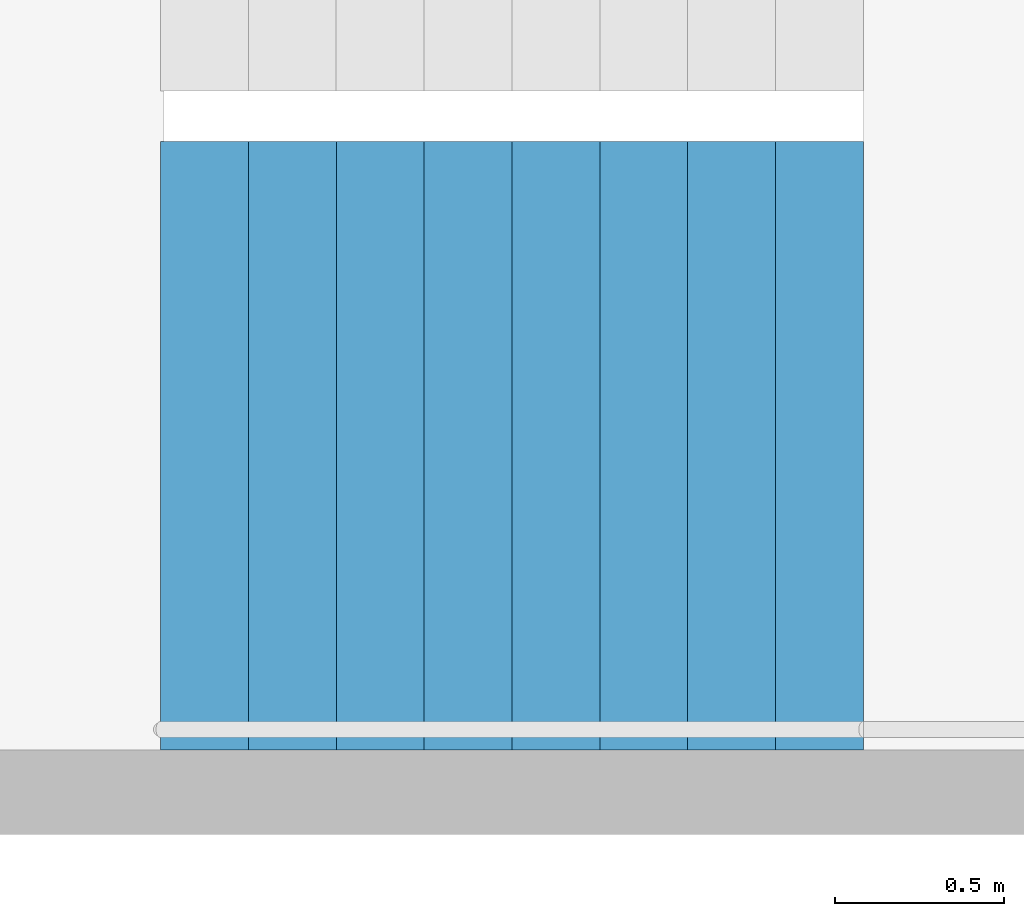
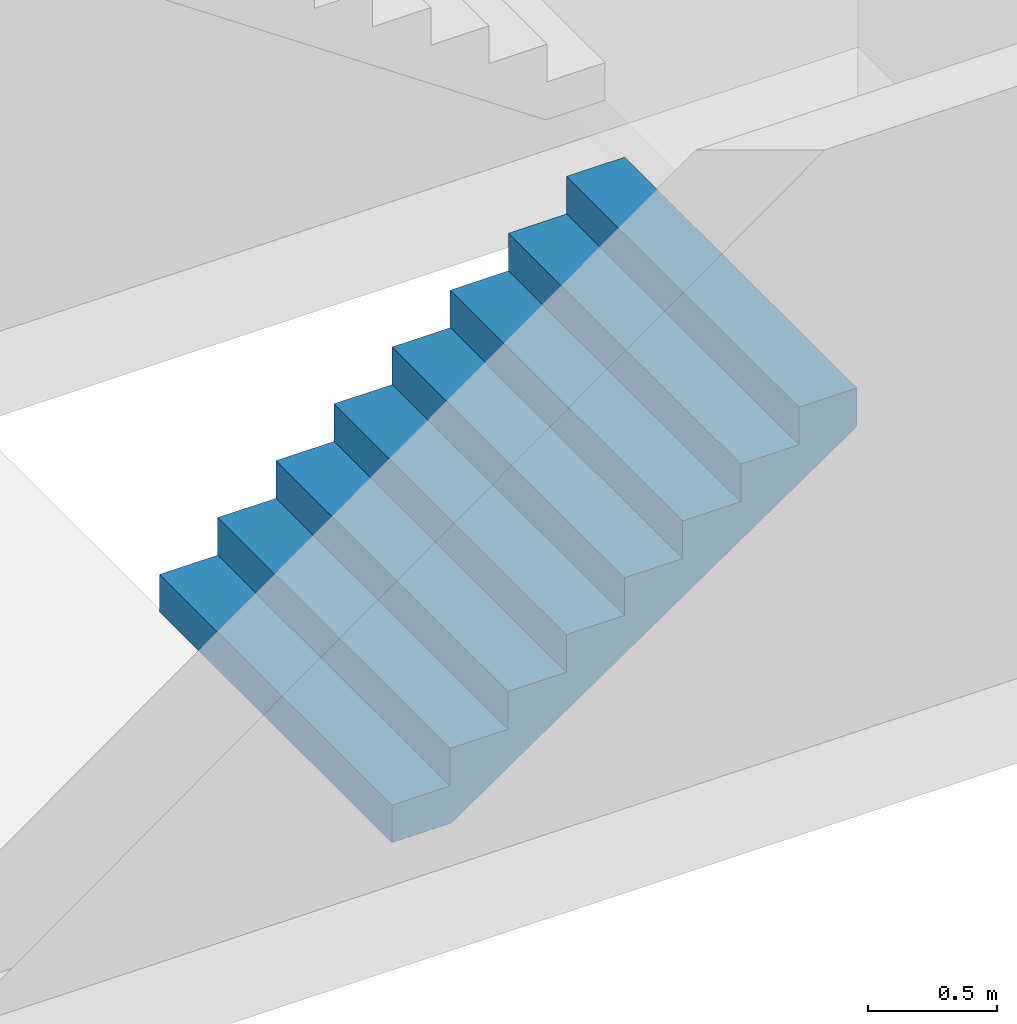
# One storey, part 24 of 37: 1 stair flight, 1 element without a shape of its own.
"""IFC4 building model written with IfcOpenShell, lengths in metres."""

from ifc_helpers import new_model, si_unit, direction, frame, origin, place, context, subcontext, project, spatial, triangles, material, type_object, element, aggregate, save


model = new_model("IFC4")

# Units and contexts
model_context = context("Model", 3, precision=1e-05, world=origin(), true_north=direction((0.0, 1.0)))
body_context = subcontext(model_context, "Body", "Model", "MODEL_VIEW")
ifc_project = project(units=[si_unit("LENGTHUNIT", "METRE"), si_unit("AREAUNIT", "SQUARE_METRE"), si_unit("VOLUMEUNIT", "CUBIC_METRE"), si_unit("PLANEANGLEUNIT", "RADIAN"), si_unit("MASSUNIT", "GRAM", prefix="KILO")], contexts=[model_context])

# Site, building, storey
site_placement = place(None, origin())
site = spatial("IfcSite", under=ifc_project, at=site_placement, CompositionType="ELEMENT")
building_placement = place(site_placement, origin())
building = spatial("IfcBuilding", under=site, at=building_placement, Name="Hakoniwa Tower and Hamabe Station Hall", CompositionType="ELEMENT")
storey_placement = place(building_placement, frame((0.0, 0.0, 39.0)))
storey = spatial("IfcBuildingStorey", under=building, at=storey_placement, Name="L10", CompositionType="ELEMENT", Elevation=39.0)

# Stair, stair flight
ifc_material_1 = material(Name="Concrete C40", Category="concrete")
stair_type = type_object("IfcStairType", Name="ESCAPE STAIR 1800", PredefinedType="HALF_TURN_STAIR", material=ifc_material_1)
stair_placement = place(storey_placement, origin())
stair = element("IfcStair", 1, at=stair_placement, inside=storey, type_object=stair_type, Name="Escape stair ST-1 L10", PredefinedType="HALF_TURN_STAIR")
ifc_material_2 = material(Name="Concrete C40", Category="concrete")
stair_flight_type = type_object("IfcStairFlightType", Name="STAIR FLIGHT 1800", PredefinedType="STRAIGHT", material=ifc_material_2)
stair_flight_placement = place(storey_placement, frame((-24.39990234375, 4.64990234375, 0.0), z_axis=(0.0, 0.0, 1.0), x_axis=(1.0, 0.0, 0.0)))
stair_flight = element("IfcStairFlight", 2, at=stair_flight_placement, type_object=stair_flight_type, Name="ST-1 flight 1", NumberOfRisers=9, NumberOfTreads=8, PredefinedType="STRAIGHT", RiserHeight=0.177777778, TreadLength=0.26, context=body_context, shape_type="Tessellation", body=[
    triangles([(0.0, 0.89990234375, 0.0), (0.260009765625, 0.89990234375, 0.0), (0.265625, 0.89990234375, 0.0), (0.52001953125, 0.89990234375, 0.174072265625), (0.780029296875, 0.89990234375, 0.351806640625), (1.0400390625, 0.89990234375, 0.529541015625), (1.300048828125, 0.89990234375, 0.707275390625), (1.56005859375, 0.89990234375, 0.885009765625), (1.820068359375, 0.89990234375, 1.062744140625), (2.080078125, 0.89990234375, 1.24072265625), (2.080078125, 0.89990234375, 1.422119140625), (1.820068359375, 0.89990234375, 1.422119140625), (1.820068359375, 0.89990234375, 1.244384765625), (1.56005859375, 0.89990234375, 1.244384765625), (1.56005859375, 0.89990234375, 1.066650390625), (1.300048828125, 0.89990234375, 1.066650390625), (1.300048828125, 0.89990234375, 0.888916015625), (1.0400390625, 0.89990234375, 0.888916015625), (1.0400390625, 0.89990234375, 0.711181640625), (0.780029296875, 0.89990234375, 0.711181640625), (0.780029296875, 0.89990234375, 0.533447265625), (0.52001953125, 0.89990234375, 0.533447265625), (0.52001953125, 0.89990234375, 0.35546875), (0.265625, 0.89990234375, 0.35546875), (0.260009765625, 0.89990234375, 0.35546875), (0.260009765625, 0.89990234375, 0.177734375), (0.0, 0.89990234375, 0.177734375), (0.0, 0.06005859375, 0.0), (0.260009765625, 0.06005859375, 0.0), (0.265625, 0.06005859375, 0.0), (0.52001953125, 0.06005859375, 0.174072265625), (0.780029296875, 0.06005859375, 0.351806640625), (1.0400390625, 0.06005859375, 0.529541015625), (1.300048828125, 0.06005859375, 0.707275390625), (1.56005859375, 0.06005859375, 0.885009765625), (1.820068359375, 0.06005859375, 1.062744140625), (2.080078125, 0.06005859375, 1.24072265625), (2.080078125, 0.06005859375, 1.422119140625), (1.820068359375, 0.06005859375, 1.422119140625), (1.820068359375, 0.06005859375, 1.244384765625), (1.56005859375, 0.06005859375, 1.244384765625), (1.56005859375, 0.06005859375, 1.066650390625), (1.300048828125, 0.06005859375, 1.066650390625), (1.300048828125, 0.06005859375, 0.888916015625), (1.0400390625, 0.06005859375, 0.888916015625), (1.0400390625, 0.06005859375, 0.711181640625), (0.780029296875, 0.06005859375, 0.711181640625), (0.780029296875, 0.06005859375, 0.533447265625), (0.52001953125, 0.06005859375, 0.533447265625), (0.52001953125, 0.06005859375, 0.35546875), (0.265625, 0.06005859375, 0.35546875), (0.260009765625, 0.06005859375, 0.35546875), (0.260009765625, 0.06005859375, 0.177734375), (0.0, 0.06005859375, 0.177734375), (0.0, 0.04296875, 0.0), (0.260009765625, 0.04296875, 0.0), (0.265625, 0.04296875, 0.0), (0.52001953125, 0.04296875, 0.174072265625), (0.780029296875, 0.04296875, 0.351806640625), (1.0400390625, 0.04296875, 0.529541015625), (1.300048828125, 0.04296875, 0.707275390625), (1.56005859375, 0.04296875, 0.885009765625), (1.820068359375, 0.04296875, 1.062744140625), (2.080078125, 0.04296875, 1.24072265625), (2.080078125, 0.04296875, 1.422119140625), (1.820068359375, 0.04296875, 1.422119140625), (1.820068359375, 0.04296875, 1.244384765625), (1.56005859375, 0.04296875, 1.244384765625), (1.56005859375, 0.04296875, 1.066650390625), (1.300048828125, 0.04296875, 1.066650390625), (1.300048828125, 0.04296875, 0.888916015625), (1.0400390625, 0.04296875, 0.888916015625), (1.0400390625, 0.04296875, 0.711181640625), (0.780029296875, 0.04296875, 0.711181640625), (0.780029296875, 0.04296875, 0.533447265625), (0.52001953125, 0.04296875, 0.533447265625), (0.52001953125, 0.04296875, 0.35546875), (0.265625, 0.04296875, 0.35546875), (0.260009765625, 0.04296875, 0.35546875), (0.260009765625, 0.04296875, 0.177734375), (0.0, 0.04296875, 0.177734375), (0.0, 0.025634765625, 0.0), (0.260009765625, 0.025634765625, 0.0), (0.265625, 0.025634765625, 0.0), (0.52001953125, 0.025634765625, 0.174072265625), (0.780029296875, 0.025634765625, 0.351806640625), (1.0400390625, 0.025634765625, 0.529541015625), (1.300048828125, 0.025634765625, 0.707275390625), (1.56005859375, 0.025634765625, 0.885009765625), (1.820068359375, 0.025634765625, 1.062744140625), (2.080078125, 0.025634765625, 1.24072265625), (2.080078125, 0.025634765625, 1.422119140625), (1.820068359375, 0.025634765625, 1.422119140625), (1.820068359375, 0.025634765625, 1.244384765625), (1.56005859375, 0.025634765625, 1.244384765625), (1.56005859375, 0.025634765625, 1.066650390625), (1.300048828125, 0.025634765625, 1.066650390625), (1.300048828125, 0.025634765625, 0.888916015625), (1.0400390625, 0.025634765625, 0.888916015625), (1.0400390625, 0.025634765625, 0.711181640625), (0.780029296875, 0.025634765625, 0.711181640625), (0.780029296875, 0.025634765625, 0.533447265625), (0.52001953125, 0.025634765625, 0.533447265625), (0.52001953125, 0.025634765625, 0.35546875), (0.265625, 0.025634765625, 0.35546875), (0.260009765625, 0.025634765625, 0.35546875), (0.260009765625, 0.025634765625, 0.177734375), (0.0, 0.025634765625, 0.177734375), (0.0, 0.008544921875, 0.0), (0.260009765625, 0.008544921875, 0.0), (0.265625, 0.008544921875, 0.0), (0.52001953125, 0.008544921875, 0.174072265625), (0.780029296875, 0.008544921875, 0.351806640625), (1.0400390625, 0.008544921875, 0.529541015625), (1.300048828125, 0.008544921875, 0.707275390625), (1.56005859375, 0.008544921875, 0.885009765625), (1.820068359375, 0.008544921875, 1.062744140625), (2.080078125, 0.008544921875, 1.24072265625), (2.080078125, 0.008544921875, 1.422119140625), (1.820068359375, 0.008544921875, 1.422119140625), (1.820068359375, 0.008544921875, 1.244384765625), (1.56005859375, 0.008544921875, 1.244384765625), (1.56005859375, 0.008544921875, 1.066650390625), (1.300048828125, 0.008544921875, 1.066650390625), (1.300048828125, 0.008544921875, 0.888916015625), (1.0400390625, 0.008544921875, 0.888916015625), (1.0400390625, 0.008544921875, 0.711181640625), (0.780029296875, 0.008544921875, 0.711181640625), (0.780029296875, 0.008544921875, 0.533447265625), (0.52001953125, 0.008544921875, 0.533447265625), (0.52001953125, 0.008544921875, 0.35546875), (0.265625, 0.008544921875, 0.35546875), (0.260009765625, 0.008544921875, 0.35546875), (0.260009765625, 0.008544921875, 0.177734375), (0.0, 0.008544921875, 0.177734375), (0.0, -0.008544921875, 0.0), (0.260009765625, -0.008544921875, 0.0), (0.265625, -0.008544921875, 0.0), (0.52001953125, -0.008544921875, 0.174072265625), (0.780029296875, -0.008544921875, 0.351806640625), (1.0400390625, -0.008544921875, 0.529541015625), (1.300048828125, -0.008544921875, 0.707275390625), (1.56005859375, -0.008544921875, 0.885009765625), (1.820068359375, -0.008544921875, 1.062744140625), (2.080078125, -0.008544921875, 1.24072265625), (2.080078125, -0.008544921875, 1.422119140625), (1.820068359375, -0.008544921875, 1.422119140625), (1.820068359375, -0.008544921875, 1.244384765625), (1.56005859375, -0.008544921875, 1.244384765625), (1.56005859375, -0.008544921875, 1.066650390625), (1.300048828125, -0.008544921875, 1.066650390625), (1.300048828125, -0.008544921875, 0.888916015625), (1.0400390625, -0.008544921875, 0.888916015625), (1.0400390625, -0.008544921875, 0.711181640625), (0.780029296875, -0.008544921875, 0.711181640625), (0.780029296875, -0.008544921875, 0.533447265625), (0.52001953125, -0.008544921875, 0.533447265625), (0.52001953125, -0.008544921875, 0.35546875), (0.265625, -0.008544921875, 0.35546875), (0.260009765625, -0.008544921875, 0.35546875), (0.260009765625, -0.008544921875, 0.177734375), (0.0, -0.008544921875, 0.177734375), (0.0, -0.025634765625, 0.0), (0.260009765625, -0.025634765625, 0.0), (0.265625, -0.025634765625, 0.0), (0.52001953125, -0.025634765625, 0.174072265625), (0.780029296875, -0.025634765625, 0.351806640625), (1.0400390625, -0.025634765625, 0.529541015625), (1.300048828125, -0.025634765625, 0.707275390625), (1.56005859375, -0.025634765625, 0.885009765625), (1.820068359375, -0.025634765625, 1.062744140625), (2.080078125, -0.025634765625, 1.24072265625), (2.080078125, -0.025634765625, 1.422119140625), (1.820068359375, -0.025634765625, 1.422119140625), (1.820068359375, -0.025634765625, 1.244384765625), (1.56005859375, -0.025634765625, 1.244384765625), (1.56005859375, -0.025634765625, 1.066650390625), (1.300048828125, -0.025634765625, 1.066650390625), (1.300048828125, -0.025634765625, 0.888916015625), (1.0400390625, -0.025634765625, 0.888916015625), (1.0400390625, -0.025634765625, 0.711181640625), (0.780029296875, -0.025634765625, 0.711181640625), (0.780029296875, -0.025634765625, 0.533447265625), (0.52001953125, -0.025634765625, 0.533447265625), (0.52001953125, -0.025634765625, 0.35546875), (0.265625, -0.025634765625, 0.35546875), (0.260009765625, -0.025634765625, 0.35546875), (0.260009765625, -0.025634765625, 0.177734375), (0.0, -0.025634765625, 0.177734375), (0.0, -0.04296875, 0.0), (0.260009765625, -0.04296875, 0.0), (0.265625, -0.04296875, 0.0), (0.52001953125, -0.04296875, 0.174072265625), (0.780029296875, -0.04296875, 0.351806640625), (1.0400390625, -0.04296875, 0.529541015625), (1.300048828125, -0.04296875, 0.707275390625), (1.56005859375, -0.04296875, 0.885009765625), (1.820068359375, -0.04296875, 1.062744140625), (2.080078125, -0.04296875, 1.24072265625), (2.080078125, -0.04296875, 1.422119140625), (1.820068359375, -0.04296875, 1.422119140625), (1.820068359375, -0.04296875, 1.244384765625), (1.56005859375, -0.04296875, 1.244384765625), (1.56005859375, -0.04296875, 1.066650390625), (1.300048828125, -0.04296875, 1.066650390625), (1.300048828125, -0.04296875, 0.888916015625), (1.0400390625, -0.04296875, 0.888916015625), (1.0400390625, -0.04296875, 0.711181640625), (0.780029296875, -0.04296875, 0.711181640625), (0.780029296875, -0.04296875, 0.533447265625), (0.52001953125, -0.04296875, 0.533447265625), (0.52001953125, -0.04296875, 0.35546875), (0.265625, -0.04296875, 0.35546875), (0.260009765625, -0.04296875, 0.35546875), (0.260009765625, -0.04296875, 0.177734375), (0.0, -0.04296875, 0.177734375), (0.0, -0.06005859375, 0.0), (0.260009765625, -0.06005859375, 0.0), (0.265625, -0.06005859375, 0.0), (0.52001953125, -0.06005859375, 0.174072265625), (0.780029296875, -0.06005859375, 0.351806640625), (1.0400390625, -0.06005859375, 0.529541015625), (1.300048828125, -0.06005859375, 0.707275390625), (1.56005859375, -0.06005859375, 0.885009765625), (1.820068359375, -0.06005859375, 1.062744140625), (2.080078125, -0.06005859375, 1.24072265625), (2.080078125, -0.06005859375, 1.422119140625), (1.820068359375, -0.06005859375, 1.422119140625), (1.820068359375, -0.06005859375, 1.244384765625), (1.56005859375, -0.06005859375, 1.244384765625), (1.56005859375, -0.06005859375, 1.066650390625), (1.300048828125, -0.06005859375, 1.066650390625), (1.300048828125, -0.06005859375, 0.888916015625), (1.0400390625, -0.06005859375, 0.888916015625), (1.0400390625, -0.06005859375, 0.711181640625), (0.780029296875, -0.06005859375, 0.711181640625), (0.780029296875, -0.06005859375, 0.533447265625), (0.52001953125, -0.06005859375, 0.533447265625), (0.52001953125, -0.06005859375, 0.35546875), (0.265625, -0.06005859375, 0.35546875), (0.260009765625, -0.06005859375, 0.35546875), (0.260009765625, -0.06005859375, 0.177734375), (0.0, -0.06005859375, 0.177734375), (0.0, -0.89990234375, 0.0), (0.260009765625, -0.89990234375, 0.0), (0.265625, -0.89990234375, 0.0), (0.52001953125, -0.89990234375, 0.174072265625), (0.780029296875, -0.89990234375, 0.351806640625), (1.0400390625, -0.89990234375, 0.529541015625), (1.300048828125, -0.89990234375, 0.707275390625), (1.56005859375, -0.89990234375, 0.885009765625), (1.820068359375, -0.89990234375, 1.062744140625), (2.080078125, -0.89990234375, 1.24072265625), (2.080078125, -0.89990234375, 1.422119140625), (1.820068359375, -0.89990234375, 1.422119140625), (1.820068359375, -0.89990234375, 1.244384765625), (1.56005859375, -0.89990234375, 1.244384765625), (1.56005859375, -0.89990234375, 1.066650390625), (1.300048828125, -0.89990234375, 1.066650390625), (1.300048828125, -0.89990234375, 0.888916015625), (1.0400390625, -0.89990234375, 0.888916015625), (1.0400390625, -0.89990234375, 0.711181640625), (0.780029296875, -0.89990234375, 0.711181640625), (0.780029296875, -0.89990234375, 0.533447265625), (0.52001953125, -0.89990234375, 0.533447265625), (0.52001953125, -0.89990234375, 0.35546875), (0.265625, -0.89990234375, 0.35546875), (0.260009765625, -0.89990234375, 0.35546875), (0.260009765625, -0.89990234375, 0.177734375), (0.0, -0.89990234375, 0.177734375)], [[2, 27, 26], [245, 269, 270], [2, 1, 27], [245, 270, 244], [3, 25, 24], [246, 267, 268], [3, 26, 25], [246, 268, 269], [3, 2, 26], [246, 269, 245], [4, 24, 23], [247, 266, 267], [4, 3, 24], [247, 267, 246], [5, 22, 21], [248, 264, 265], [5, 23, 22], [248, 265, 266], [5, 4, 23], [248, 266, 247], [6, 20, 19], [249, 262, 263], [6, 21, 20], [249, 263, 264], [6, 5, 21], [249, 264, 248], [7, 18, 17], [250, 260, 261], [7, 19, 18], [250, 261, 262], [7, 6, 19], [250, 262, 249], [8, 16, 15], [251, 258, 259], [8, 17, 16], [251, 259, 260], [8, 7, 17], [251, 260, 250], [9, 14, 13], [252, 256, 257], [9, 15, 14], [252, 257, 258], [9, 8, 15], [252, 258, 251], [10, 12, 11], [253, 254, 255], [10, 13, 12], [253, 255, 256], [10, 9, 13], [253, 256, 252], [1, 2, 29], [1, 29, 28], [28, 29, 56], [28, 56, 55], [55, 56, 83], [55, 83, 82], [82, 83, 110], [82, 110, 109], [109, 110, 137], [109, 137, 136], [136, 137, 164], [136, 164, 163], [163, 164, 191], [163, 191, 190], [190, 191, 218], [190, 218, 217], [217, 218, 245], [217, 245, 244], [2, 3, 30], [2, 30, 29], [29, 30, 57], [29, 57, 56], [56, 57, 84], [56, 84, 83], [83, 84, 111], [83, 111, 110], [110, 111, 138], [110, 138, 137], [137, 138, 165], [137, 165, 164], [164, 165, 192], [164, 192, 191], [191, 192, 219], [191, 219, 218], [218, 219, 246], [218, 246, 245], [3, 4, 31], [3, 31, 30], [30, 31, 58], [30, 58, 57], [57, 58, 85], [57, 85, 84], [84, 85, 112], [84, 112, 111], [111, 112, 139], [111, 139, 138], [138, 139, 166], [138, 166, 165], [165, 166, 193], [165, 193, 192], [192, 193, 220], [192, 220, 219], [219, 220, 247], [219, 247, 246], [4, 5, 32], [4, 32, 31], [31, 32, 59], [31, 59, 58], [58, 59, 86], [58, 86, 85], [85, 86, 113], [85, 113, 112], [112, 113, 140], [112, 140, 139], [139, 140, 167], [139, 167, 166], [166, 167, 194], [166, 194, 193], [193, 194, 221], [193, 221, 220], [220, 221, 248], [220, 248, 247], [5, 6, 33], [5, 33, 32], [32, 33, 60], [32, 60, 59], [59, 60, 87], [59, 87, 86], [86, 87, 114], [86, 114, 113], [113, 114, 141], [113, 141, 140], [140, 141, 168], [140, 168, 167], [167, 168, 195], [167, 195, 194], [194, 195, 222], [194, 222, 221], [221, 222, 249], [221, 249, 248], [6, 7, 34], [6, 34, 33], [33, 34, 61], [33, 61, 60], [60, 61, 88], [60, 88, 87], [87, 88, 115], [87, 115, 114], [114, 115, 142], [114, 142, 141], [141, 142, 169], [141, 169, 168], [168, 169, 196], [168, 196, 195], [195, 196, 223], [195, 223, 222], [222, 223, 250], [222, 250, 249], [7, 8, 35], [7, 35, 34], [34, 35, 62], [34, 62, 61], [61, 62, 89], [61, 89, 88], [88, 89, 116], [88, 116, 115], [115, 116, 143], [115, 143, 142], [142, 143, 170], [142, 170, 169], [169, 170, 197], [169, 197, 196], [196, 197, 224], [196, 224, 223], [223, 224, 251], [223, 251, 250], [8, 9, 36], [8, 36, 35], [35, 36, 63], [35, 63, 62], [62, 63, 90], [62, 90, 89], [89, 90, 117], [89, 117, 116], [116, 117, 144], [116, 144, 143], [143, 144, 171], [143, 171, 170], [170, 171, 198], [170, 198, 197], [197, 198, 225], [197, 225, 224], [224, 225, 252], [224, 252, 251], [9, 10, 37], [9, 37, 36], [36, 37, 64], [36, 64, 63], [63, 64, 91], [63, 91, 90], [90, 91, 118], [90, 118, 117], [117, 118, 145], [117, 145, 144], [144, 145, 172], [144, 172, 171], [171, 172, 199], [171, 199, 198], [198, 199, 226], [198, 226, 225], [225, 226, 253], [225, 253, 252], [10, 11, 38], [10, 38, 37], [37, 38, 65], [37, 65, 64], [64, 65, 92], [64, 92, 91], [91, 92, 119], [91, 119, 118], [118, 119, 146], [118, 146, 145], [145, 146, 173], [145, 173, 172], [172, 173, 200], [172, 200, 199], [199, 200, 227], [199, 227, 226], [226, 227, 254], [226, 254, 253], [11, 12, 39], [11, 39, 38], [38, 39, 66], [38, 66, 65], [65, 66, 93], [65, 93, 92], [92, 93, 120], [92, 120, 119], [119, 120, 147], [119, 147, 146], [146, 147, 174], [146, 174, 173], [173, 174, 201], [173, 201, 200], [200, 201, 228], [200, 228, 227], [227, 228, 255], [227, 255, 254], [12, 13, 40], [12, 40, 39], [39, 40, 67], [39, 67, 66], [66, 67, 94], [66, 94, 93], [93, 94, 121], [93, 121, 120], [120, 121, 148], [120, 148, 147], [147, 148, 175], [147, 175, 174], [174, 175, 202], [174, 202, 201], [201, 202, 229], [201, 229, 228], [228, 229, 256], [228, 256, 255], [13, 14, 41], [13, 41, 40], [40, 41, 68], [40, 68, 67], [67, 68, 95], [67, 95, 94], [94, 95, 122], [94, 122, 121], [121, 122, 149], [121, 149, 148], [148, 149, 176], [148, 176, 175], [175, 176, 203], [175, 203, 202], [202, 203, 230], [202, 230, 229], [229, 230, 257], [229, 257, 256], [14, 15, 42], [14, 42, 41], [41, 42, 69], [41, 69, 68], [68, 69, 96], [68, 96, 95], [95, 96, 123], [95, 123, 122], [122, 123, 150], [122, 150, 149], [149, 150, 177], [149, 177, 176], [176, 177, 204], [176, 204, 203], [203, 204, 231], [203, 231, 230], [230, 231, 258], [230, 258, 257], [15, 16, 43], [15, 43, 42], [42, 43, 70], [42, 70, 69], [69, 70, 97], [69, 97, 96], [96, 97, 124], [96, 124, 123], [123, 124, 151], [123, 151, 150], [150, 151, 178], [150, 178, 177], [177, 178, 205], [177, 205, 204], [204, 205, 232], [204, 232, 231], [231, 232, 259], [231, 259, 258], [16, 17, 44], [16, 44, 43], [43, 44, 71], [43, 71, 70], [70, 71, 98], [70, 98, 97], [97, 98, 125], [97, 125, 124], [124, 125, 152], [124, 152, 151], [151, 152, 179], [151, 179, 178], [178, 179, 206], [178, 206, 205], [205, 206, 233], [205, 233, 232], [232, 233, 260], [232, 260, 259], [17, 18, 45], [17, 45, 44], [44, 45, 72], [44, 72, 71], [71, 72, 99], [71, 99, 98], [98, 99, 126], [98, 126, 125], [125, 126, 153], [125, 153, 152], [152, 153, 180], [152, 180, 179], [179, 180, 207], [179, 207, 206], [206, 207, 234], [206, 234, 233], [233, 234, 261], [233, 261, 260], [18, 19, 46], [18, 46, 45], [45, 46, 73], [45, 73, 72], [72, 73, 100], [72, 100, 99], [99, 100, 127], [99, 127, 126], [126, 127, 154], [126, 154, 153], [153, 154, 181], [153, 181, 180], [180, 181, 208], [180, 208, 207], [207, 208, 235], [207, 235, 234], [234, 235, 262], [234, 262, 261], [19, 20, 47], [19, 47, 46], [46, 47, 74], [46, 74, 73], [73, 74, 101], [73, 101, 100], [100, 101, 128], [100, 128, 127], [127, 128, 155], [127, 155, 154], [154, 155, 182], [154, 182, 181], [181, 182, 209], [181, 209, 208], [208, 209, 236], [208, 236, 235], [235, 236, 263], [235, 263, 262], [20, 21, 48], [20, 48, 47], [47, 48, 75], [47, 75, 74], [74, 75, 102], [74, 102, 101], [101, 102, 129], [101, 129, 128], [128, 129, 156], [128, 156, 155], [155, 156, 183], [155, 183, 182], [182, 183, 210], [182, 210, 209], [209, 210, 237], [209, 237, 236], [236, 237, 264], [236, 264, 263], [21, 22, 49], [21, 49, 48], [48, 49, 76], [48, 76, 75], [75, 76, 103], [75, 103, 102], [102, 103, 130], [102, 130, 129], [129, 130, 157], [129, 157, 156], [156, 157, 184], [156, 184, 183], [183, 184, 211], [183, 211, 210], [210, 211, 238], [210, 238, 237], [237, 238, 265], [237, 265, 264], [22, 23, 50], [22, 50, 49], [49, 50, 77], [49, 77, 76], [76, 77, 104], [76, 104, 103], [103, 104, 131], [103, 131, 130], [130, 131, 158], [130, 158, 157], [157, 158, 185], [157, 185, 184], [184, 185, 212], [184, 212, 211], [211, 212, 239], [211, 239, 238], [238, 239, 266], [238, 266, 265], [23, 24, 51], [23, 51, 50], [50, 51, 78], [50, 78, 77], [77, 78, 105], [77, 105, 104], [104, 105, 132], [104, 132, 131], [131, 132, 159], [131, 159, 158], [158, 159, 186], [158, 186, 185], [185, 186, 213], [185, 213, 212], [212, 213, 240], [212, 240, 239], [239, 240, 267], [239, 267, 266], [24, 25, 52], [24, 52, 51], [51, 52, 79], [51, 79, 78], [78, 79, 106], [78, 106, 105], [105, 106, 133], [105, 133, 132], [132, 133, 160], [132, 160, 159], [159, 160, 187], [159, 187, 186], [186, 187, 214], [186, 214, 213], [213, 214, 241], [213, 241, 240], [240, 241, 268], [240, 268, 267], [25, 26, 53], [25, 53, 52], [52, 53, 80], [52, 80, 79], [79, 80, 107], [79, 107, 106], [106, 107, 134], [106, 134, 133], [133, 134, 161], [133, 161, 160], [160, 161, 188], [160, 188, 187], [187, 188, 215], [187, 215, 214], [214, 215, 242], [214, 242, 241], [241, 242, 269], [241, 269, 268], [26, 27, 54], [26, 54, 53], [53, 54, 81], [53, 81, 80], [80, 81, 108], [80, 108, 107], [107, 108, 135], [107, 135, 134], [134, 135, 162], [134, 162, 161], [161, 162, 189], [161, 189, 188], [188, 189, 216], [188, 216, 215], [215, 216, 243], [215, 243, 242], [242, 243, 270], [242, 270, 269], [27, 1, 28], [27, 28, 54], [54, 28, 55], [54, 55, 81], [81, 55, 82], [81, 82, 108], [108, 82, 109], [108, 109, 135], [135, 109, 136], [135, 136, 162], [162, 136, 163], [162, 163, 189], [189, 163, 190], [189, 190, 216], [216, 190, 217], [216, 217, 243], [243, 217, 244], [243, 244, 270]], closed=True),
])
aggregate(stair, [stair_flight])

save(model, "model.ifc")
